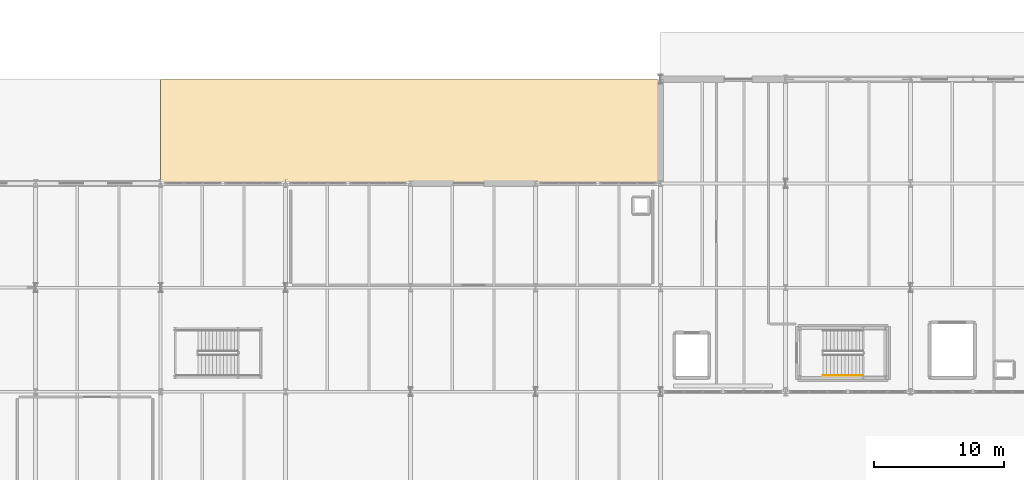
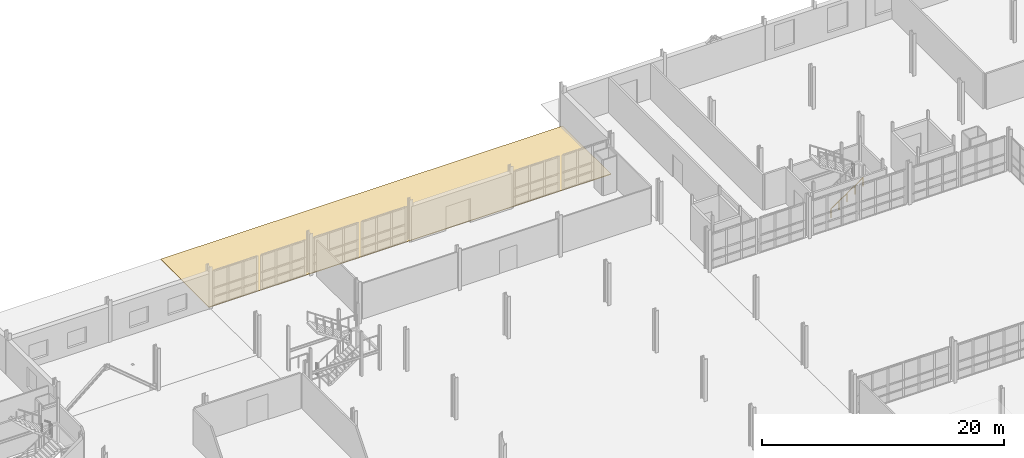
# One storey, part 74 of 78: 1 covering, 1 railing.
"""IFC4 building model written with IfcOpenShell, lengths in metres."""

from ifc_helpers import new_model, si_unit, direction, frame, origin, origin_2d, place, context, subcontext, project, spatial, polyline, circle, outline, extrude, material, layer, layer_set, type_object, element, save


model = new_model("IFC4")

# Units and contexts
model_context = context("Model", 3, precision=1e-05, world=origin(), true_north=direction((0.0, 1.0)))
body_context = subcontext(model_context, "Body", "Model", "MODEL_VIEW")
ifc_project = project(units=[si_unit("LENGTHUNIT", "METRE"), si_unit("AREAUNIT", "SQUARE_METRE"), si_unit("VOLUMEUNIT", "CUBIC_METRE"), si_unit("PLANEANGLEUNIT", "RADIAN"), si_unit("MASSUNIT", "GRAM", prefix="KILO")], contexts=[model_context])

# Site, building, storey
site_placement = place(None, origin())
site = spatial("IfcSite", under=ifc_project, at=site_placement, CompositionType="ELEMENT")
building_placement = place(site_placement, origin())
building = spatial("IfcBuilding", under=site, at=building_placement, Name="Alderhovde Museum", CompositionType="ELEMENT")
storey_placement = place(building_placement, origin())
storey = spatial("IfcBuildingStorey", under=building, at=storey_placement, Name="L00", CompositionType="ELEMENT", Elevation=0.0)

# Covering
ifc_material_1 = material(Name="Bush-Hammered Nordic Granite Forecourt Paving", Category="masonry")
ifc_layer = layer(ifc_material_1, 0.06005859375)
ifc_layer_set = layer_set([ifc_layer], Name="Bush-Hammered Nordic Granite Forecourt Paving")
covering_type = type_object("IfcCoveringType", Name="COV-EXT-GRANITE", PredefinedType="FLOORING", material=ifc_layer_set)
covering_placement = place(storey_placement, frame((0.0, 0.0, -0.06005859375)))
element("IfcCovering", 1, at=covering_placement, inside=storey, type_object=covering_type, Name="Conservatory North Granite Plaza", PredefinedType="FLOORING", context=body_context, shape_type="SweptSolid", body=[
    extrude(outline(polyline([(76.800048828125, 88.0), (115.199951171875, 88.0), (115.199951171875, 96.0), (76.800048828125, 96.0), (76.800048828125, 88.0)])), origin(), (0.0, 0.0, 1.0), 0.06005859375),
])

# Railing
ifc_material_2 = material(Name="Brushed Stainless Steel Handrail", Category="steel")
railing_type = type_object("IfcRailingType", Name="RL-HANDRAIL-900", PredefinedType="HANDRAIL", material=ifc_material_2)
railing_placement = place(storey_placement, frame((127.679931640625, 73.25, 0.1875)))
element("IfcRailing", 2, at=railing_placement, inside=storey, type_object=railing_type, Name="L00 ST4 stair handrail 1", PredefinedType="HANDRAIL", context=body_context, shape_type="SweptSolid", body=[
    extrude(circle(Radius=0.02392578125, at=origin_2d()), frame((0.0, 0.0, 0.8759765625), z_axis=(0.830913701846, 0.0, 0.55640131208), x_axis=(0.0, 1.0, 0.0)), (0.0, 0.0, 1.0), 3.706787109375),
    extrude(circle(Radius=0.02099609375, at=origin_2d()), origin(), (0.0, 0.0, 1.0), 0.851806640625),
    extrude(circle(Radius=0.02099609375, at=origin_2d()), frame((0.77001953125, 0.0, 0.515625)), (0.0, 0.0, 1.0), 0.851806640625),
    extrude(circle(Radius=0.02099609375, at=origin_2d()), frame((1.5400390625, 0.0, 1.03125)), (0.0, 0.0, 1.0), 0.851806640625),
    extrude(circle(Radius=0.02099609375, at=origin_2d()), frame((2.31005859375, 0.0, 1.546875)), (0.0, 0.0, 1.0), 0.851806640625),
    extrude(circle(Radius=0.02099609375, at=origin_2d()), frame((3.080078125, 0.0, 2.0625)), (0.0, 0.0, 1.0), 0.851806640625),
])

save(model, "model.ifc")
